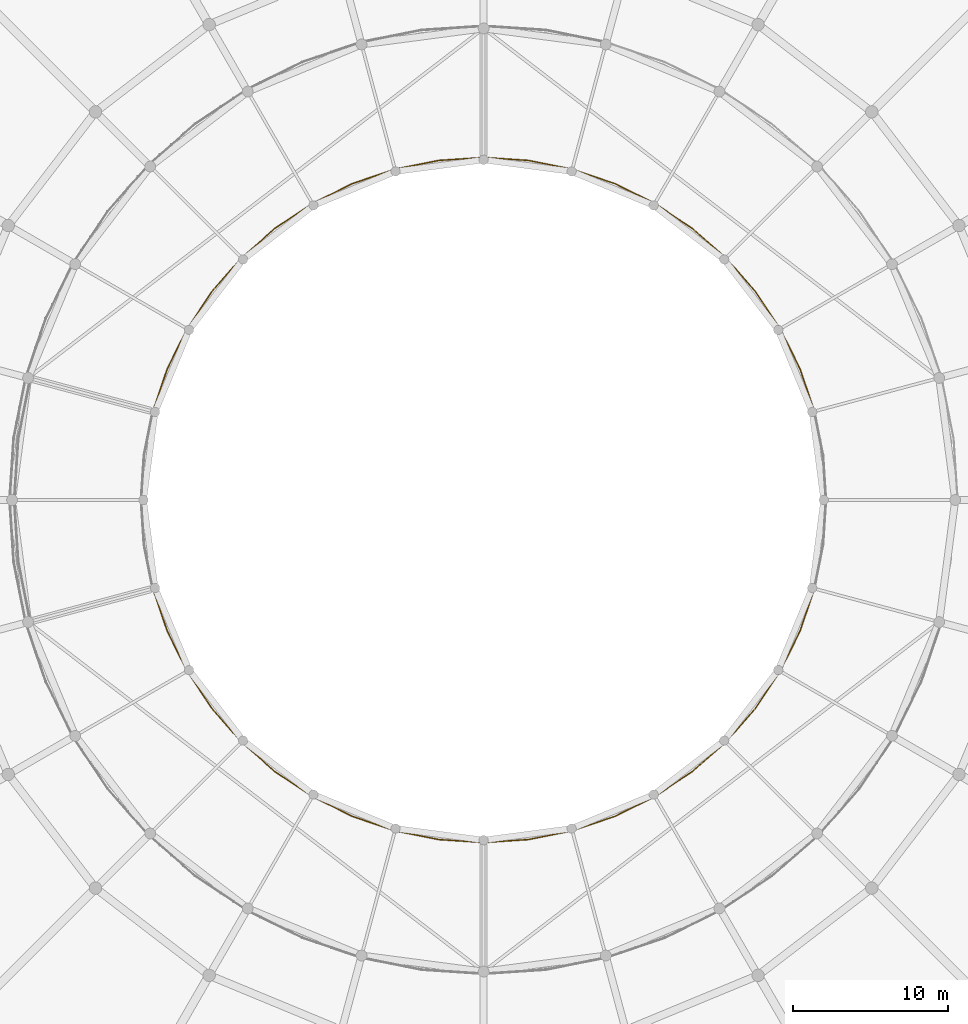
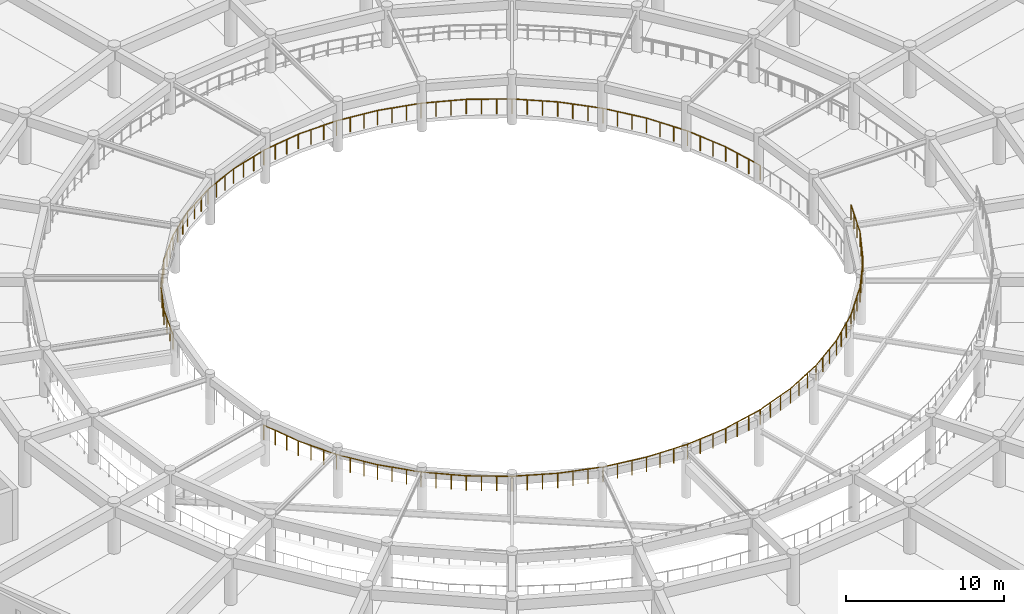
# One storey, part 81 of 98: 2 railings.
"""IFC4 building model written with IfcOpenShell, lengths in metres."""

from ifc_helpers import new_model, si_unit, direction, frame, origin, origin_2d, place, context, subcontext, project, spatial, circle, extrude, material, type_object, element, save


model = new_model("IFC4")

# Units and contexts
model_context = context("Model", 3, precision=1e-05, world=origin(), true_north=direction((0.0, 1.0)))
body_context = subcontext(model_context, "Body", "Model", "MODEL_VIEW")
ifc_project = project(units=[si_unit("LENGTHUNIT", "METRE"), si_unit("AREAUNIT", "SQUARE_METRE"), si_unit("VOLUMEUNIT", "CUBIC_METRE"), si_unit("PLANEANGLEUNIT", "RADIAN"), si_unit("MASSUNIT", "GRAM", prefix="KILO")], contexts=[model_context])

# Site, building, storey
site_placement = place(None, origin())
site = spatial("IfcSite", under=ifc_project, at=site_placement, CompositionType="ELEMENT")
building_placement = place(site_placement, origin())
building = spatial("IfcBuilding", under=site, at=building_placement, Name="Larkveld Mobility Hub", CompositionType="ELEMENT")
storey_placement = place(building_placement, frame((0.0, 0.0, 4.5)))
storey = spatial("IfcBuildingStorey", under=building, at=storey_placement, Name="L01", CompositionType="ELEMENT", Elevation=4.5)

# Railings
ifc_material = material(Name="Galvanized Steel S355JR vehicle-deck guard", Category="steel")
railing_type = type_object("IfcRailingType", Name="RL-GRD-RMP", PredefinedType="GUARDRAIL", material=ifc_material)
railing_1_placement = place(storey_placement, frame((69.39501953125, 53.73291015625, 0.0)))
element("IfcRailing", 1, at=railing_1_placement, inside=storey, type_object=railing_type, Name="Helical Ramp Inner Sloped Guard T1 L01-010", PredefinedType="GUARDRAIL", context=body_context, shape_type="SweptSolid", body=[
    extrude(circle(Radius=0.02392578125, at=origin_2d()), frame((0.0, 0.0, 1.1259765625), z_axis=(-0.321172364527, 0.946418223925, 0.033776584887), x_axis=(-0.946958550549, -0.321355727416, 0.0)), (0.0, 0.0, 1.0), 2.8984375),
    extrude(circle(Radius=0.02392578125, at=origin_2d()), frame((-0.930908203125, 2.7431640625, 1.2236328125), z_axis=(-0.442207352889, 0.896286609196, 0.033510762843), x_axis=(-0.896790285483, -0.442455855271, 0.0)), (0.0, 0.0, 1.0), 2.899658203125),
    extrude(circle(Radius=0.02392578125, at=origin_2d()), frame((-2.213134765625, 5.342041015625, 1.32080078125), z_axis=(-0.555083257135, 0.83110872506, 0.03377668985), x_axis=(-0.831583222437, -0.555400165791, 0.0)), (0.0, 0.0, 1.0), 2.8984375),
    extrude(circle(Radius=0.02392578125, at=origin_2d()), frame((-3.822021484375, 7.7509765625, 1.4189453125), z_axis=(-0.659101774745, 0.751310340396, 0.033430868094), x_axis=(-0.751730533478, -0.659470397392, 0.0)), (0.0, 0.0, 1.0), 2.899169921875),
    extrude(circle(Radius=0.02392578125, at=origin_2d()), frame((-5.73291015625, 9.92919921875, 1.515625), z_axis=(-0.751308222674, 0.659099916932, 0.033514982361), x_axis=(-0.659470397392, -0.751730533478, 0.0)), (0.0, 0.0, 1.0), 2.899169921875),
    extrude(circle(Radius=0.02392578125, at=origin_2d()), frame((-7.9111328125, 11.840087890625, 1.61279296875), z_axis=(-0.83110872506, 0.555083257135, 0.03377668985), x_axis=(-0.555400165791, -0.831583222437, 0.0)), (0.0, 0.0, 1.0), 2.8984375),
    extrude(circle(Radius=0.02392578125, at=origin_2d()), frame((-10.320068359375, 13.448974609375, 1.7109375), z_axis=(-0.896276442918, 0.442202337079, 0.033847170508), x_axis=(-0.442455855271, -0.896790285483, 0.0)), (0.0, 0.0, 1.0), 2.899658203125),
    extrude(circle(Radius=0.02392578125, at=origin_2d()), frame((-12.9189453125, 14.731201171875, 1.80908203125), z_axis=(-0.946428940749, 0.321176001342, 0.033440040003), x_axis=(-0.321355727416, -0.946958550549, 0.0)), (0.0, 0.0, 1.0), 2.8984375),
    extrude(circle(Radius=0.02392578125, at=origin_2d()), frame((-15.662109375, 15.662109375, 1.90576171875), z_axis=(-0.980183070714, 0.195194532467, 0.033767475202), x_axis=(-0.195305912265, -0.980742372203, 0.0)), (0.0, 0.0, 1.0), 2.899169921875),
    extrude(circle(Radius=0.02392578125, at=origin_2d()), frame((-18.50390625, 16.22802734375, 2.00390625), z_axis=(-0.997310100873, 0.065184767613, 0.033518782313), x_axis=(-0.065221416326, -0.997870816715, 0.0)), (0.0, 0.0, 1.0), 2.89892578125),
    extrude(circle(Radius=0.02392578125, at=origin_2d()), frame((-21.39501953125, 16.4169921875, 2.10107421875), z_axis=(-0.997312912641, -0.065184951392, 0.033434658531), x_axis=(0.065221416326, -0.997870816715, 0.0)), (0.0, 0.0, 1.0), 2.89892578125),
    extrude(circle(Radius=0.02392578125, at=origin_2d()), frame((-24.2861328125, 16.22802734375, 2.19775390625), z_axis=(-0.980183070714, -0.195194532467, 0.033767475202), x_axis=(0.195305912265, -0.980742372203, 0.0)), (0.0, 0.0, 1.0), 2.899169921875),
    extrude(circle(Radius=0.02392578125, at=origin_2d()), frame((-27.1279296875, 15.662109375, 2.2958984375), z_axis=(-0.946415527989, -0.321171449646, 0.033860719318), x_axis=(0.321355727416, -0.946958550549, 0.0)), (0.0, 0.0, 1.0), 2.8984375),
    extrude(circle(Radius=0.02392578125, at=origin_2d()), frame((-29.87109375, 14.731201171875, 2.39404296875), z_axis=(-0.896289134935, -0.44220859903, 0.033426659142), x_axis=(0.442455855271, -0.896790285483, 0.0)), (0.0, 0.0, 1.0), 2.899658203125),
    extrude(circle(Radius=0.02392578125, at=origin_2d()), frame((-32.469970703125, 13.448974609375, 2.49072265625), z_axis=(-0.83110872506, -0.555083257135, 0.03377668985), x_axis=(0.555400165791, -0.831583222437, 0.0)), (0.0, 0.0, 1.0), 2.8984375),
    extrude(circle(Radius=0.02392578125, at=origin_2d()), frame((-34.87890625, 11.840087890625, 2.5888671875), z_axis=(-0.751308222674, -0.659099916932, 0.033514982361), x_axis=(0.659470397392, -0.751730533478, 0.0)), (0.0, 0.0, 1.0), 2.899169921875),
    extrude(circle(Radius=0.02392578125, at=origin_2d()), frame((-37.05712890625, 9.92919921875, 2.68603515625), z_axis=(-0.659094315545, -0.751301837651, 0.033767320881), x_axis=(0.751730533478, -0.659470397392, 0.0)), (0.0, 0.0, 1.0), 2.899169921875),
    extrude(circle(Radius=0.02392578125, at=origin_2d()), frame((-38.968017578125, 7.7509765625, 2.78369140625), z_axis=(-0.555089542692, -0.831118136229, 0.033440143922), x_axis=(0.831583222437, -0.555400165791, 0.0)), (0.0, 0.0, 1.0), 2.8984375),
    extrude(circle(Radius=0.02392578125, at=origin_2d()), frame((-40.576904296875, 5.342041015625, 2.880859375), z_axis=(-0.442202337079, -0.896276442918, 0.033847170508), x_axis=(0.896790285483, -0.442455855271, 0.0)), (0.0, 0.0, 1.0), 2.899658203125),
    extrude(circle(Radius=0.02392578125, at=origin_2d()), frame((-41.859130859375, 2.7431640625, 2.97900390625), z_axis=(-0.321176001342, -0.946428940749, 0.033440040003), x_axis=(0.946958550549, -0.321355727416, 0.0)), (0.0, 0.0, 1.0), 2.8984375),
    extrude(circle(Radius=0.02099609375, at=origin_2d()), origin(), (0.0, 0.0, 1.0), 1.101806640625),
    extrude(circle(Radius=0.02099609375, at=origin_2d()), frame((-0.310302734375, 0.914306640625, 0.03271484375)), (0.0, 0.0, 1.0), 1.101806640625),
    extrude(circle(Radius=0.02099609375, at=origin_2d()), frame((-0.62060546875, 1.828857421875, 0.065185546875)), (0.0, 0.0, 1.0), 1.101806640625),
    extrude(circle(Radius=0.02099609375, at=origin_2d()), frame((-0.930908203125, 2.7431640625, 0.097900390625)), (0.0, 0.0, 1.0), 1.101806640625),
    extrude(circle(Radius=0.02099609375, at=origin_2d()), frame((-1.3583984375, 3.609375, 0.13037109375)), (0.0, 0.0, 1.0), 1.101806640625),
    extrude(circle(Radius=0.02099609375, at=origin_2d()), frame((-1.78564453125, 4.475830078125, 0.16259765625)), (0.0, 0.0, 1.0), 1.101806640625),
    extrude(circle(Radius=0.02099609375, at=origin_2d()), frame((-2.213134765625, 5.342041015625, 0.195068359375)), (0.0, 0.0, 1.0), 1.101806640625),
    extrude(circle(Radius=0.02099609375, at=origin_2d()), frame((-2.74951171875, 6.14501953125, 0.227783203125)), (0.0, 0.0, 1.0), 1.101806640625),
    extrude(circle(Radius=0.02099609375, at=origin_2d()), frame((-3.28564453125, 6.947998046875, 0.26025390625)), (0.0, 0.0, 1.0), 1.101806640625),
    extrude(circle(Radius=0.02099609375, at=origin_2d()), frame((-3.822021484375, 7.7509765625, 0.29296875)), (0.0, 0.0, 1.0), 1.101806640625),
    extrude(circle(Radius=0.02099609375, at=origin_2d()), frame((-4.458984375, 8.47705078125, 0.3251953125)), (0.0, 0.0, 1.0), 1.101806640625),
    extrude(circle(Radius=0.02099609375, at=origin_2d()), frame((-5.095947265625, 9.203125, 0.357666015625)), (0.0, 0.0, 1.0), 1.101806640625),
    extrude(circle(Radius=0.02099609375, at=origin_2d()), frame((-5.73291015625, 9.92919921875, 0.389892578125)), (0.0, 0.0, 1.0), 1.101806640625),
    extrude(circle(Radius=0.02099609375, at=origin_2d()), frame((-6.458984375, 10.566162109375, 0.42236328125)), (0.0, 0.0, 1.0), 1.101806640625),
    extrude(circle(Radius=0.02099609375, at=origin_2d()), frame((-7.18505859375, 11.203125, 0.45458984375)), (0.0, 0.0, 1.0), 1.101806640625),
    extrude(circle(Radius=0.02099609375, at=origin_2d()), frame((-7.9111328125, 11.840087890625, 0.487060546875)), (0.0, 0.0, 1.0), 1.101806640625),
    extrude(circle(Radius=0.02099609375, at=origin_2d()), frame((-8.714111328125, 12.37646484375, 0.519775390625)), (0.0, 0.0, 1.0), 1.101806640625),
    extrude(circle(Radius=0.02099609375, at=origin_2d()), frame((-9.51708984375, 12.91259765625, 0.55224609375)), (0.0, 0.0, 1.0), 1.101806640625),
    extrude(circle(Radius=0.02099609375, at=origin_2d()), frame((-10.320068359375, 13.448974609375, 0.5849609375)), (0.0, 0.0, 1.0), 1.101806640625),
    extrude(circle(Radius=0.02099609375, at=origin_2d()), frame((-11.186279296875, 13.87646484375, 0.61767578125)), (0.0, 0.0, 1.0), 1.101806640625),
    extrude(circle(Radius=0.02099609375, at=origin_2d()), frame((-12.052734375, 14.3037109375, 0.650390625)), (0.0, 0.0, 1.0), 1.101806640625),
    extrude(circle(Radius=0.02099609375, at=origin_2d()), frame((-12.9189453125, 14.731201171875, 0.68310546875)), (0.0, 0.0, 1.0), 1.101806640625),
    extrude(circle(Radius=0.02099609375, at=origin_2d()), frame((-13.833251953125, 15.04150390625, 0.71533203125)), (0.0, 0.0, 1.0), 1.101806640625),
    extrude(circle(Radius=0.02099609375, at=origin_2d()), frame((-14.747802734375, 15.351806640625, 0.747802734375)), (0.0, 0.0, 1.0), 1.101806640625),
    extrude(circle(Radius=0.02099609375, at=origin_2d()), frame((-15.662109375, 15.662109375, 0.780029296875)), (0.0, 0.0, 1.0), 1.101806640625),
    extrude(circle(Radius=0.02099609375, at=origin_2d()), frame((-16.609375, 15.850830078125, 0.812744140625)), (0.0, 0.0, 1.0), 1.101806640625),
    extrude(circle(Radius=0.02099609375, at=origin_2d()), frame((-17.556640625, 16.039306640625, 0.84521484375)), (0.0, 0.0, 1.0), 1.101806640625),
    extrude(circle(Radius=0.02099609375, at=origin_2d()), frame((-18.50390625, 16.22802734375, 0.8779296875)), (0.0, 0.0, 1.0), 1.101806640625),
    extrude(circle(Radius=0.02099609375, at=origin_2d()), frame((-19.467529296875, 16.291015625, 0.910400390625)), (0.0, 0.0, 1.0), 1.101806640625),
    extrude(circle(Radius=0.02099609375, at=origin_2d()), frame((-20.431396484375, 16.35400390625, 0.942626953125)), (0.0, 0.0, 1.0), 1.101806640625),
    extrude(circle(Radius=0.02099609375, at=origin_2d()), frame((-21.39501953125, 16.4169921875, 0.97509765625)), (0.0, 0.0, 1.0), 1.101806640625),
    extrude(circle(Radius=0.02099609375, at=origin_2d()), frame((-22.358642578125, 16.35400390625, 1.00732421875)), (0.0, 0.0, 1.0), 1.101806640625),
    extrude(circle(Radius=0.02099609375, at=origin_2d()), frame((-23.322509765625, 16.291015625, 1.039794921875)), (0.0, 0.0, 1.0), 1.101806640625),
    extrude(circle(Radius=0.02099609375, at=origin_2d()), frame((-24.2861328125, 16.22802734375, 1.072021484375)), (0.0, 0.0, 1.0), 1.101806640625),
    extrude(circle(Radius=0.02099609375, at=origin_2d()), frame((-25.2333984375, 16.039306640625, 1.104736328125)), (0.0, 0.0, 1.0), 1.101806640625),
    extrude(circle(Radius=0.02099609375, at=origin_2d()), frame((-26.1806640625, 15.850830078125, 1.13720703125)), (0.0, 0.0, 1.0), 1.101806640625),
    extrude(circle(Radius=0.02099609375, at=origin_2d()), frame((-27.1279296875, 15.662109375, 1.169921875)), (0.0, 0.0, 1.0), 1.101806640625),
    extrude(circle(Radius=0.02099609375, at=origin_2d()), frame((-28.042236328125, 15.351806640625, 1.20263671875)), (0.0, 0.0, 1.0), 1.101806640625),
    extrude(circle(Radius=0.02099609375, at=origin_2d()), frame((-28.956787109375, 15.04150390625, 1.2353515625)), (0.0, 0.0, 1.0), 1.101806640625),
    extrude(circle(Radius=0.02099609375, at=origin_2d()), frame((-29.87109375, 14.731201171875, 1.26806640625)), (0.0, 0.0, 1.0), 1.101806640625),
    extrude(circle(Radius=0.02099609375, at=origin_2d()), frame((-30.7373046875, 14.3037109375, 1.30029296875)), (0.0, 0.0, 1.0), 1.101806640625),
    extrude(circle(Radius=0.02099609375, at=origin_2d()), frame((-31.603759765625, 13.87646484375, 1.332763671875)), (0.0, 0.0, 1.0), 1.101806640625),
    extrude(circle(Radius=0.02099609375, at=origin_2d()), frame((-32.469970703125, 13.448974609375, 1.364990234375)), (0.0, 0.0, 1.0), 1.101806640625),
    extrude(circle(Radius=0.02099609375, at=origin_2d()), frame((-33.27294921875, 12.91259765625, 1.397705078125)), (0.0, 0.0, 1.0), 1.101806640625),
    extrude(circle(Radius=0.02099609375, at=origin_2d()), frame((-34.075927734375, 12.37646484375, 1.43017578125)), (0.0, 0.0, 1.0), 1.101806640625),
    extrude(circle(Radius=0.02099609375, at=origin_2d()), frame((-34.87890625, 11.840087890625, 1.462890625)), (0.0, 0.0, 1.0), 1.101806640625),
    extrude(circle(Radius=0.02099609375, at=origin_2d()), frame((-35.60498046875, 11.203125, 1.495361328125)), (0.0, 0.0, 1.0), 1.101806640625),
    extrude(circle(Radius=0.02099609375, at=origin_2d()), frame((-36.3310546875, 10.566162109375, 1.527587890625)), (0.0, 0.0, 1.0), 1.101806640625),
    extrude(circle(Radius=0.02099609375, at=origin_2d()), frame((-37.05712890625, 9.92919921875, 1.56005859375)), (0.0, 0.0, 1.0), 1.101806640625),
    extrude(circle(Radius=0.02099609375, at=origin_2d()), frame((-37.694091796875, 9.203125, 1.5927734375)), (0.0, 0.0, 1.0), 1.101806640625),
    extrude(circle(Radius=0.02099609375, at=origin_2d()), frame((-38.3310546875, 8.47705078125, 1.625244140625)), (0.0, 0.0, 1.0), 1.101806640625),
    extrude(circle(Radius=0.02099609375, at=origin_2d()), frame((-38.968017578125, 7.7509765625, 1.657958984375)), (0.0, 0.0, 1.0), 1.101806640625),
    extrude(circle(Radius=0.02099609375, at=origin_2d()), frame((-39.50439453125, 6.947998046875, 1.690185546875)), (0.0, 0.0, 1.0), 1.101806640625),
    extrude(circle(Radius=0.02099609375, at=origin_2d()), frame((-40.04052734375, 6.14501953125, 1.72265625)), (0.0, 0.0, 1.0), 1.101806640625),
    extrude(circle(Radius=0.02099609375, at=origin_2d()), frame((-40.576904296875, 5.342041015625, 1.7548828125)), (0.0, 0.0, 1.0), 1.101806640625),
    extrude(circle(Radius=0.02099609375, at=origin_2d()), frame((-41.00439453125, 4.475830078125, 1.78759765625)), (0.0, 0.0, 1.0), 1.101806640625),
    extrude(circle(Radius=0.02099609375, at=origin_2d()), frame((-41.431640625, 3.609375, 1.8203125)), (0.0, 0.0, 1.0), 1.101806640625),
    extrude(circle(Radius=0.02099609375, at=origin_2d()), frame((-41.859130859375, 2.7431640625, 1.85302734375)), (0.0, 0.0, 1.0), 1.101806640625),
    extrude(circle(Radius=0.02099609375, at=origin_2d()), frame((-42.16943359375, 1.828857421875, 1.88525390625)), (0.0, 0.0, 1.0), 1.101806640625),
    extrude(circle(Radius=0.02099609375, at=origin_2d()), frame((-42.479736328125, 0.914306640625, 1.917724609375)), (0.0, 0.0, 1.0), 1.101806640625),
    extrude(circle(Radius=0.02099609375, at=origin_2d()), frame((-42.7900390625, 0.0, 1.949951171875)), (0.0, 0.0, 1.0), 1.101806640625),
])
railing_2_placement = place(storey_placement, frame((26.60498046875, 42.26708984375, 1.949951171875)))
element("IfcRailing", 2, at=railing_2_placement, inside=storey, type_object=railing_type, Name="Helical Ramp Inner Sloped Guard T2 L01-012", PredefinedType="GUARDRAIL", context=body_context, shape_type="SweptSolid", body=[
    extrude(circle(Radius=0.02392578125, at=origin_2d()), frame((0.0, 0.0, 1.1259765625), z_axis=(0.321171449646, -0.946415527989, 0.033860719318), x_axis=(0.946958550549, 0.321355727416, 0.0)), (0.0, 0.0, 1.0), 2.8984375),
    extrude(circle(Radius=0.02392578125, at=origin_2d()), frame((0.930908203125, -2.7431640625, 1.22412109375), z_axis=(0.44220859903, -0.896289134935, 0.033426659142), x_axis=(0.896790285483, 0.442455855271, 0.0)), (0.0, 0.0, 1.0), 2.899658203125),
    extrude(circle(Radius=0.02392578125, at=origin_2d()), frame((2.213134765625, -5.342041015625, 1.32080078125), z_axis=(0.555083257135, -0.83110872506, 0.03377668985), x_axis=(0.831583222437, 0.555400165791, 0.0)), (0.0, 0.0, 1.0), 2.8984375),
    extrude(circle(Radius=0.02392578125, at=origin_2d()), frame((3.822021484375, -7.7509765625, 1.4189453125), z_axis=(0.659099916932, -0.751308222674, 0.033514982361), x_axis=(0.751730533478, 0.659470397392, 0.0)), (0.0, 0.0, 1.0), 2.899169921875),
    extrude(circle(Radius=0.02392578125, at=origin_2d()), frame((5.73291015625, -9.92919921875, 1.51611328125), z_axis=(0.751301837651, -0.659094315545, 0.033767320881), x_axis=(0.659470397392, 0.751730533478, 0.0)), (0.0, 0.0, 1.0), 2.899169921875),
    extrude(circle(Radius=0.02392578125, at=origin_2d()), frame((7.9111328125, -11.840087890625, 1.61376953125), z_axis=(0.831118136229, -0.555089542692, 0.033440143922), x_axis=(0.555400165791, 0.831583222437, 0.0)), (0.0, 0.0, 1.0), 2.8984375),
    extrude(circle(Radius=0.02392578125, at=origin_2d()), frame((10.320068359375, -13.448974609375, 1.7109375), z_axis=(0.896276442918, -0.442202337079, 0.033847170508), x_axis=(0.442455855271, 0.896790285483, 0.0)), (0.0, 0.0, 1.0), 2.899658203125),
    extrude(circle(Radius=0.02392578125, at=origin_2d()), frame((12.9189453125, -14.731201171875, 1.80908203125), z_axis=(0.946428940749, -0.321176001342, 0.033440040003), x_axis=(0.321355727416, 0.946958550549, 0.0)), (0.0, 0.0, 1.0), 2.8984375),
    extrude(circle(Radius=0.02392578125, at=origin_2d()), frame((15.662109375, -15.662109375, 1.90576171875), z_axis=(0.980183070714, -0.195194532467, 0.033767475202), x_axis=(0.195305912265, 0.980742372203, 0.0)), (0.0, 0.0, 1.0), 2.899169921875),
    extrude(circle(Radius=0.02392578125, at=origin_2d()), frame((18.50390625, -16.22802734375, 2.00390625), z_axis=(0.997310100873, -0.065184767613, 0.033518782313), x_axis=(0.065221416326, 0.997870816715, 0.0)), (0.0, 0.0, 1.0), 2.89892578125),
    extrude(circle(Radius=0.02392578125, at=origin_2d()), frame((21.39501953125, -16.4169921875, 2.10107421875), z_axis=(0.997301623271, 0.065184213512, 0.033771149378), x_axis=(-0.065221416326, 0.997870816715, 0.0)), (0.0, 0.0, 1.0), 2.89892578125),
    extrude(circle(Radius=0.02392578125, at=origin_2d()), frame((24.2861328125, -16.22802734375, 2.19873046875), z_axis=(0.980191400986, 0.195196191365, 0.033515135532), x_axis=(-0.195305912265, 0.980742372203, 0.0)), (0.0, 0.0, 1.0), 2.899169921875),
    extrude(circle(Radius=0.02392578125, at=origin_2d()), frame((27.1279296875, -15.662109375, 2.2958984375), z_axis=(0.946418223925, 0.321172364527, 0.033776584887), x_axis=(-0.321355727416, 0.946958550549, 0.0)), (0.0, 0.0, 1.0), 2.8984375),
    extrude(circle(Radius=0.02392578125, at=origin_2d()), frame((29.87109375, -14.731201171875, 2.39404296875), z_axis=(0.896289134935, 0.44220859903, 0.033426659142), x_axis=(-0.442455855271, 0.896790285483, 0.0)), (0.0, 0.0, 1.0), 2.899658203125),
    extrude(circle(Radius=0.02392578125, at=origin_2d()), frame((32.469970703125, -13.448974609375, 2.49072265625), z_axis=(0.831106357577, 0.555081675933, 0.033860824541), x_axis=(-0.555400165791, 0.831583222437, 0.0)), (0.0, 0.0, 1.0), 2.8984375),
    extrude(circle(Radius=0.02392578125, at=origin_2d()), frame((34.87890625, -11.840087890625, 2.5888671875), z_axis=(0.751310340396, 0.659101774745, 0.033430868094), x_axis=(-0.659470397392, 0.751730533478, 0.0)), (0.0, 0.0, 1.0), 2.899169921875),
    extrude(circle(Radius=0.02392578125, at=origin_2d()), frame((37.05712890625, -9.92919921875, 2.68603515625), z_axis=(0.659101774745, 0.751310340396, 0.033430868094), x_axis=(-0.751730533478, 0.659470397392, 0.0)), (0.0, 0.0, 1.0), 2.899169921875),
    extrude(circle(Radius=0.02392578125, at=origin_2d()), frame((38.968017578125, -7.7509765625, 2.78271484375), z_axis=(0.555081675933, 0.831106357577, 0.033860824541), x_axis=(-0.831583222437, 0.555400165791, 0.0)), (0.0, 0.0, 1.0), 2.8984375),
    extrude(circle(Radius=0.02392578125, at=origin_2d()), frame((40.576904296875, -5.342041015625, 2.880859375), z_axis=(0.442203595718, 0.896278993986, 0.033763069665), x_axis=(-0.896790285483, 0.442455855271, 0.0)), (0.0, 0.0, 1.0), 2.899658203125),
    extrude(circle(Radius=0.02392578125, at=origin_2d()), frame((41.859130859375, -2.7431640625, 2.97900390625), z_axis=(0.321176001342, 0.946428940749, 0.033440040003), x_axis=(-0.946958550549, 0.321355727416, 0.0)), (0.0, 0.0, 1.0), 2.8984375),
    extrude(circle(Radius=0.02099609375, at=origin_2d()), origin(), (0.0, 0.0, 1.0), 1.101806640625),
    extrude(circle(Radius=0.02099609375, at=origin_2d()), frame((0.310302734375, -0.914306640625, 0.03271484375)), (0.0, 0.0, 1.0), 1.101806640625),
    extrude(circle(Radius=0.02099609375, at=origin_2d()), frame((0.62060546875, -1.828857421875, 0.0654296875)), (0.0, 0.0, 1.0), 1.101806640625),
    extrude(circle(Radius=0.02099609375, at=origin_2d()), frame((0.930908203125, -2.7431640625, 0.09814453125)), (0.0, 0.0, 1.0), 1.101806640625),
    extrude(circle(Radius=0.02099609375, at=origin_2d()), frame((1.3583984375, -3.609375, 0.13037109375)), (0.0, 0.0, 1.0), 1.101806640625),
    extrude(circle(Radius=0.02099609375, at=origin_2d()), frame((1.78564453125, -4.475830078125, 0.162841796875)), (0.0, 0.0, 1.0), 1.101806640625),
    extrude(circle(Radius=0.02099609375, at=origin_2d()), frame((2.213134765625, -5.342041015625, 0.195068359375)), (0.0, 0.0, 1.0), 1.101806640625),
    extrude(circle(Radius=0.02099609375, at=origin_2d()), frame((2.74951171875, -6.14501953125, 0.227783203125)), (0.0, 0.0, 1.0), 1.101806640625),
    extrude(circle(Radius=0.02099609375, at=origin_2d()), frame((3.28564453125, -6.947998046875, 0.26025390625)), (0.0, 0.0, 1.0), 1.101806640625),
    extrude(circle(Radius=0.02099609375, at=origin_2d()), frame((3.822021484375, -7.7509765625, 0.29296875)), (0.0, 0.0, 1.0), 1.101806640625),
    extrude(circle(Radius=0.02099609375, at=origin_2d()), frame((4.458984375, -8.47705078125, 0.325439453125)), (0.0, 0.0, 1.0), 1.101806640625),
    extrude(circle(Radius=0.02099609375, at=origin_2d()), frame((5.095947265625, -9.203125, 0.357666015625)), (0.0, 0.0, 1.0), 1.101806640625),
    extrude(circle(Radius=0.02099609375, at=origin_2d()), frame((5.73291015625, -9.92919921875, 0.39013671875)), (0.0, 0.0, 1.0), 1.101806640625),
    extrude(circle(Radius=0.02099609375, at=origin_2d()), frame((6.458984375, -10.566162109375, 0.4228515625)), (0.0, 0.0, 1.0), 1.101806640625),
    extrude(circle(Radius=0.02099609375, at=origin_2d()), frame((7.18505859375, -11.203125, 0.455322265625)), (0.0, 0.0, 1.0), 1.101806640625),
    extrude(circle(Radius=0.02099609375, at=origin_2d()), frame((7.9111328125, -11.840087890625, 0.488037109375)), (0.0, 0.0, 1.0), 1.101806640625),
    extrude(circle(Radius=0.02099609375, at=origin_2d()), frame((8.714111328125, -12.37646484375, 0.520263671875)), (0.0, 0.0, 1.0), 1.101806640625),
    extrude(circle(Radius=0.02099609375, at=origin_2d()), frame((9.51708984375, -12.91259765625, 0.552734375)), (0.0, 0.0, 1.0), 1.101806640625),
    extrude(circle(Radius=0.02099609375, at=origin_2d()), frame((10.320068359375, -13.448974609375, 0.5849609375)), (0.0, 0.0, 1.0), 1.101806640625),
    extrude(circle(Radius=0.02099609375, at=origin_2d()), frame((11.186279296875, -13.87646484375, 0.61767578125)), (0.0, 0.0, 1.0), 1.101806640625),
    extrude(circle(Radius=0.02099609375, at=origin_2d()), frame((12.052734375, -14.3037109375, 0.650390625)), (0.0, 0.0, 1.0), 1.101806640625),
    extrude(circle(Radius=0.02099609375, at=origin_2d()), frame((12.9189453125, -14.731201171875, 0.68310546875)), (0.0, 0.0, 1.0), 1.101806640625),
    extrude(circle(Radius=0.02099609375, at=origin_2d()), frame((13.833251953125, -15.04150390625, 0.71533203125)), (0.0, 0.0, 1.0), 1.101806640625),
    extrude(circle(Radius=0.02099609375, at=origin_2d()), frame((14.747802734375, -15.351806640625, 0.747802734375)), (0.0, 0.0, 1.0), 1.101806640625),
    extrude(circle(Radius=0.02099609375, at=origin_2d()), frame((15.662109375, -15.662109375, 0.780029296875)), (0.0, 0.0, 1.0), 1.101806640625),
    extrude(circle(Radius=0.02099609375, at=origin_2d()), frame((16.609375, -15.850830078125, 0.812744140625)), (0.0, 0.0, 1.0), 1.101806640625),
    extrude(circle(Radius=0.02099609375, at=origin_2d()), frame((17.556640625, -16.039306640625, 0.84521484375)), (0.0, 0.0, 1.0), 1.101806640625),
    extrude(circle(Radius=0.02099609375, at=origin_2d()), frame((18.50390625, -16.22802734375, 0.8779296875)), (0.0, 0.0, 1.0), 1.101806640625),
    extrude(circle(Radius=0.02099609375, at=origin_2d()), frame((19.467529296875, -16.291015625, 0.910400390625)), (0.0, 0.0, 1.0), 1.101806640625),
    extrude(circle(Radius=0.02099609375, at=origin_2d()), frame((20.431396484375, -16.35400390625, 0.942626953125)), (0.0, 0.0, 1.0), 1.101806640625),
    extrude(circle(Radius=0.02099609375, at=origin_2d()), frame((21.39501953125, -16.4169921875, 0.97509765625)), (0.0, 0.0, 1.0), 1.101806640625),
    extrude(circle(Radius=0.02099609375, at=origin_2d()), frame((22.358642578125, -16.35400390625, 1.0078125)), (0.0, 0.0, 1.0), 1.101806640625),
    extrude(circle(Radius=0.02099609375, at=origin_2d()), frame((23.322509765625, -16.291015625, 1.040283203125)), (0.0, 0.0, 1.0), 1.101806640625),
    extrude(circle(Radius=0.02099609375, at=origin_2d()), frame((24.2861328125, -16.22802734375, 1.072998046875)), (0.0, 0.0, 1.0), 1.101806640625),
    extrude(circle(Radius=0.02099609375, at=origin_2d()), frame((25.2333984375, -16.039306640625, 1.10546875)), (0.0, 0.0, 1.0), 1.101806640625),
    extrude(circle(Radius=0.02099609375, at=origin_2d()), frame((26.1806640625, -15.850830078125, 1.1376953125)), (0.0, 0.0, 1.0), 1.101806640625),
    extrude(circle(Radius=0.02099609375, at=origin_2d()), frame((27.1279296875, -15.662109375, 1.170166015625)), (0.0, 0.0, 1.0), 1.101806640625),
    extrude(circle(Radius=0.02099609375, at=origin_2d()), frame((28.042236328125, -15.351806640625, 1.202880859375)), (0.0, 0.0, 1.0), 1.101806640625),
    extrude(circle(Radius=0.02099609375, at=origin_2d()), frame((28.956787109375, -15.04150390625, 1.2353515625)), (0.0, 0.0, 1.0), 1.101806640625),
    extrude(circle(Radius=0.02099609375, at=origin_2d()), frame((29.87109375, -14.731201171875, 1.26806640625)), (0.0, 0.0, 1.0), 1.101806640625),
    extrude(circle(Radius=0.02099609375, at=origin_2d()), frame((30.7373046875, -14.3037109375, 1.30029296875)), (0.0, 0.0, 1.0), 1.101806640625),
    extrude(circle(Radius=0.02099609375, at=origin_2d()), frame((31.603759765625, -13.87646484375, 1.332763671875)), (0.0, 0.0, 1.0), 1.101806640625),
    extrude(circle(Radius=0.02099609375, at=origin_2d()), frame((32.469970703125, -13.448974609375, 1.364990234375)), (0.0, 0.0, 1.0), 1.101806640625),
    extrude(circle(Radius=0.02099609375, at=origin_2d()), frame((33.27294921875, -12.91259765625, 1.397705078125)), (0.0, 0.0, 1.0), 1.101806640625),
    extrude(circle(Radius=0.02099609375, at=origin_2d()), frame((34.075927734375, -12.37646484375, 1.430419921875)), (0.0, 0.0, 1.0), 1.101806640625),
    extrude(circle(Radius=0.02099609375, at=origin_2d()), frame((34.87890625, -11.840087890625, 1.463134765625)), (0.0, 0.0, 1.0), 1.101806640625),
    extrude(circle(Radius=0.02099609375, at=origin_2d()), frame((35.60498046875, -11.203125, 1.495361328125)), (0.0, 0.0, 1.0), 1.101806640625),
    extrude(circle(Radius=0.02099609375, at=origin_2d()), frame((36.3310546875, -10.566162109375, 1.52783203125)), (0.0, 0.0, 1.0), 1.101806640625),
    extrude(circle(Radius=0.02099609375, at=origin_2d()), frame((37.05712890625, -9.92919921875, 1.56005859375)), (0.0, 0.0, 1.0), 1.101806640625),
    extrude(circle(Radius=0.02099609375, at=origin_2d()), frame((37.694091796875, -9.203125, 1.59228515625)), (0.0, 0.0, 1.0), 1.101806640625),
    extrude(circle(Radius=0.02099609375, at=origin_2d()), frame((38.3310546875, -8.47705078125, 1.624755859375)), (0.0, 0.0, 1.0), 1.101806640625),
    extrude(circle(Radius=0.02099609375, at=origin_2d()), frame((38.968017578125, -7.7509765625, 1.656982421875)), (0.0, 0.0, 1.0), 1.101806640625),
    extrude(circle(Radius=0.02099609375, at=origin_2d()), frame((39.50439453125, -6.947998046875, 1.689697265625)), (0.0, 0.0, 1.0), 1.101806640625),
    extrude(circle(Radius=0.02099609375, at=origin_2d()), frame((40.04052734375, -6.14501953125, 1.722412109375)), (0.0, 0.0, 1.0), 1.101806640625),
    extrude(circle(Radius=0.02099609375, at=origin_2d()), frame((40.576904296875, -5.342041015625, 1.755126953125)), (0.0, 0.0, 1.0), 1.101806640625),
    extrude(circle(Radius=0.02099609375, at=origin_2d()), frame((41.00439453125, -4.475830078125, 1.787841796875)), (0.0, 0.0, 1.0), 1.101806640625),
    extrude(circle(Radius=0.02099609375, at=origin_2d()), frame((41.431640625, -3.609375, 1.8203125)), (0.0, 0.0, 1.0), 1.101806640625),
    extrude(circle(Radius=0.02099609375, at=origin_2d()), frame((41.859130859375, -2.7431640625, 1.85302734375)), (0.0, 0.0, 1.0), 1.101806640625),
    extrude(circle(Radius=0.02099609375, at=origin_2d()), frame((42.16943359375, -1.828857421875, 1.88525390625)), (0.0, 0.0, 1.0), 1.101806640625),
    extrude(circle(Radius=0.02099609375, at=origin_2d()), frame((42.479736328125, -0.914306640625, 1.917724609375)), (0.0, 0.0, 1.0), 1.101806640625),
    extrude(circle(Radius=0.02099609375, at=origin_2d()), frame((42.7900390625, 0.0, 1.949951171875)), (0.0, 0.0, 1.0), 1.101806640625),
])

save(model, "model.ifc")
